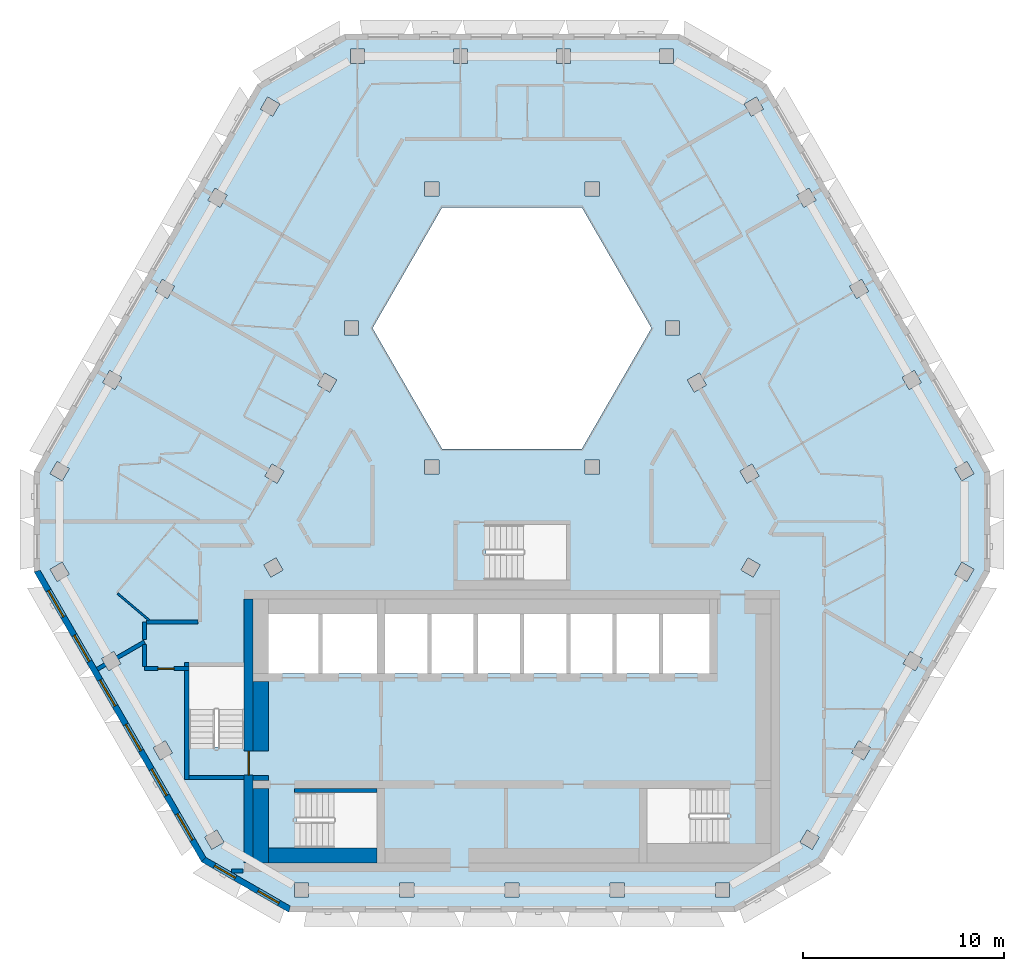
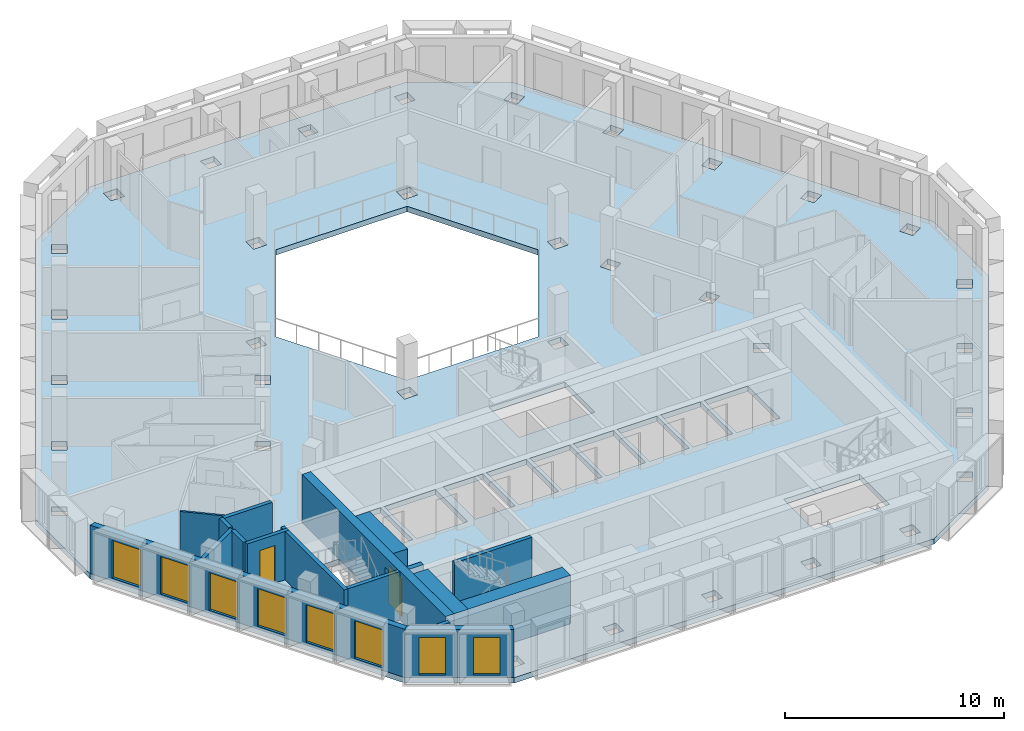
# One storey, part 2 of 16: 17 walls, 8 windows, 2 doors, 1 slab, 10 openings.
"""IFC4 building model written with IfcOpenShell, lengths in metres."""

from ifc_helpers import new_model, si_unit, direction, frame, frame_2d, origin, place, context, subcontext, project, spatial, polyline, rectangle, outline, extrude, material, layer, layer_set, type_object, element, fill, save


model = new_model("IFC4")

# Units and contexts
model_context = context("Model", 3, precision=1e-05, world=origin(), true_north=direction((0.0, 1.0)))
body_context = subcontext(model_context, "Body", "Model", "MODEL_VIEW")
ifc_project = project(units=[si_unit("LENGTHUNIT", "METRE"), si_unit("AREAUNIT", "SQUARE_METRE"), si_unit("VOLUMEUNIT", "CUBIC_METRE"), si_unit("PLANEANGLEUNIT", "RADIAN"), si_unit("MASSUNIT", "GRAM", prefix="KILO")], contexts=[model_context])

# Site, building, storey
site_placement = place(None, origin())
site = spatial("IfcSite", under=ifc_project, at=site_placement, CompositionType="ELEMENT")
building_placement = place(site_placement, origin())
building = spatial("IfcBuilding", under=site, at=building_placement, Name="Beryl Residences", CompositionType="ELEMENT")
storey_placement = place(building_placement, frame((0.0, 0.0, 214.800048828125)))
storey = spatial("IfcBuildingStorey", under=building, at=storey_placement, Name="L66", CompositionType="ELEMENT", Elevation=214.800048828125)

# Slab
ifc_material_1 = material(Name="Concrete C40/50", Category="concrete")
ifc_layer_1 = layer(ifc_material_1, 0.300048828125)
ifc_layer_set_1 = layer_set([ifc_layer_1], Name="SL7 PT floor slab 300 mm C40/50")
slab_type = type_object("IfcSlabType", Name="SL7 PT floor slab 300 mm C40/50", PredefinedType="FLOOR", material=ifc_layer_set_1)
slab_placement = place(storey_placement, frame((0.0, 0.0, -0.300048828125)))
element("IfcSlab", 1, at=slab_placement, inside=storey, type_object=slab_type, Name="L66 slab 1", PredefinedType="FLOOR", context=body_context, shape_type="SweptSolid", body=[
    extrude(outline(polyline([(23.72900390625, -4.10009765625), (15.4150390625, -18.5), (11.0849609375, -21.0), (-11.0849609375, -21.0), (-15.4150390625, -18.5), (-23.72900390625, -4.10009765625), (-23.72900390625, 0.89990234375), (-12.64404296875, 20.10009765625), (-8.31396484375, 22.60009765625), (8.31396484375, 22.60009765625), (12.64404296875, 20.10009765625), (23.72900390625, 0.89990234375), (23.72900390625, -4.10009765625)]), holes=[polyline([(21.97998046875, 1.028076171875), (22.330078125, 0.422119140625), (22.93603515625, 0.77197265625), (22.5859375, 1.3779296875), (21.97998046875, 1.028076171875)]), polyline([(21.97998046875, -4.22900390625), (22.5859375, -4.5791015625), (22.93603515625, -3.972900390625), (22.330078125, -3.623046875), (21.97998046875, -4.22900390625)]), polyline([(19.77099609375, -8.055908203125), (19.4208984375, -8.662109375), (20.027099609375, -9.011962890625), (20.376953125, -8.406005859375), (19.77099609375, -8.055908203125)]), polyline([(19.367919921875, 5.552978515625), (19.718017578125, 4.947021484375), (20.323974609375, 5.297119140625), (19.97412109375, 5.903076171875), (19.367919921875, 5.552978515625)]), polyline([(17.2109375, -12.489013671875), (16.861083984375, -13.094970703125), (17.467041015625, -13.445068359375), (17.81689453125, -12.839111328125), (17.2109375, -12.489013671875)]), polyline([(17.361083984375, 10.427978515625), (16.7548828125, 10.077880859375), (17.10498046875, 9.471923828125), (17.7109375, 9.822021484375), (17.361083984375, 10.427978515625)]), polyline([(15.258056640625, -17.27197265625), (14.652099609375, -16.922119140625), (14.302001953125, -17.528076171875), (14.907958984375, -17.8779296875), (15.258056640625, -17.27197265625)]), polyline([(14.14306640625, 14.60302734375), (14.492919921875, 13.9970703125), (15.09912109375, 14.346923828125), (14.7490234375, 14.952880859375), (14.14306640625, 14.60302734375)]), polyline([(11.531005859375, 19.1279296875), (11.881103515625, 18.52197265625), (12.487060546875, 18.8720703125), (12.136962890625, 19.47802734375), (11.531005859375, 19.1279296875)]), polyline([(11.717041015625, -3.406005859375), (11.366943359375, -4.011962890625), (11.972900390625, -4.362060546875), (12.322998046875, -3.756103515625), (11.717041015625, -3.406005859375)]), polyline([(11.919921875, 1.2529296875), (11.31396484375, 0.903076171875), (11.6640625, 0.297119140625), (12.27001953125, 0.64697265625), (11.919921875, 1.2529296875)]), polyline([(10.800048828125, -19.550048828125), (10.10009765625, -19.550048828125), (10.10009765625, -20.25), (10.800048828125, -20.25), (10.800048828125, -19.550048828125)]), polyline([(6.699951171875, -14.85009765625), (6.699951171875, -17.60009765625), (10.699951171875, -17.60009765625), (10.699951171875, -14.85009765625), (6.699951171875, -14.85009765625)]), polyline([(7.5, -9.14990234375), (9.800048828125, -9.14990234375), (9.800048828125, -6.199951171875), (7.5, -6.199951171875), (7.5, -9.14990234375)]), polyline([(8.700927734375, 5.427978515625), (9.051025390625, 4.822021484375), (9.656982421875, 5.172119140625), (9.306884765625, 5.778076171875), (8.700927734375, 5.427978515625)]), polyline([(8.31689453125, 7.64990234375), (8.31689453125, 8.35009765625), (7.616943359375, 8.35009765625), (7.616943359375, 7.64990234375), (8.31689453125, 7.64990234375)]), polyline([(7.3291015625, 21.85009765625), (7.3291015625, 21.14990234375), (8.029052734375, 21.14990234375), (8.029052734375, 21.85009765625), (7.3291015625, 21.85009765625)]), polyline([(5.199951171875, -9.14990234375), (7.300048828125, -9.14990234375), (7.300048828125, -6.199951171875), (5.199951171875, -6.199951171875), (5.199951171875, -9.14990234375)]), polyline([(3.464111328125, 14.0), (-3.464111328125, 14.0), (-6.92822265625, 8.0), (-3.464111328125, 2.0), (3.464111328125, 2.0), (6.92822265625, 8.0), (3.464111328125, 14.0)]), polyline([(4.875, -19.550048828125), (4.875, -20.25), (5.574951171875, -20.25), (5.574951171875, -19.550048828125), (4.875, -19.550048828125)]), polyline([(2.89990234375, -9.14990234375), (5.0, -9.14990234375), (5.0, -6.199951171875), (2.89990234375, -6.199951171875), (2.89990234375, -9.14990234375)]), polyline([(4.333984375, 15.25), (3.634033203125, 15.25), (3.634033203125, 14.550048828125), (4.333984375, 14.550048828125), (4.333984375, 15.25)]), polyline([(4.333984375, 1.449951171875), (3.634033203125, 1.449951171875), (3.634033203125, 0.75), (4.333984375, 0.75), (4.333984375, 1.449951171875)]), polyline([(2.2099609375, 21.85009765625), (2.2099609375, 21.14990234375), (2.909912109375, 21.14990234375), (2.909912109375, 21.85009765625), (2.2099609375, 21.85009765625)]), polyline([(2.699951171875, -9.14990234375), (2.699951171875, -6.199951171875), (0.60009765625, -6.199951171875), (0.60009765625, -9.14990234375), (2.699951171875, -9.14990234375)]), polyline([(2.699951171875, -4.5), (2.699951171875, -1.75), (-1.300048828125, -1.75), (-1.300048828125, -4.5), (2.699951171875, -4.5)]), polyline([(0.39990234375, -6.199951171875), (-1.699951171875, -6.199951171875), (-1.699951171875, -9.14990234375), (0.39990234375, -9.14990234375), (0.39990234375, -6.199951171875)]), polyline([(0.35009765625, -19.550048828125), (-0.35009765625, -19.550048828125), (-0.35009765625, -20.25), (0.35009765625, -20.25), (0.35009765625, -19.550048828125)]), polyline([(-4.0, -9.14990234375), (-1.89990234375, -9.14990234375), (-1.89990234375, -6.199951171875), (-4.0, -6.199951171875), (-4.0, -9.14990234375)]), polyline([(-2.908935546875, 21.14990234375), (-2.208984375, 21.14990234375), (-2.208984375, 21.85009765625), (-2.908935546875, 21.85009765625), (-2.908935546875, 21.14990234375)]), polyline([(-3.634033203125, 15.25), (-4.333984375, 15.25), (-4.333984375, 14.550048828125), (-3.634033203125, 14.550048828125), (-3.634033203125, 15.25)]), polyline([(-4.333984375, 1.449951171875), (-4.333984375, 0.75), (-3.634033203125, 0.75), (-3.634033203125, 1.449951171875), (-4.333984375, 1.449951171875)]), polyline([(-6.300048828125, -9.14990234375), (-4.199951171875, -9.14990234375), (-4.199951171875, -6.199951171875), (-6.300048828125, -6.199951171875), (-6.300048828125, -9.14990234375)]), polyline([(-4.875, -19.550048828125), (-5.574951171875, -19.550048828125), (-5.574951171875, -20.25), (-4.875, -20.25), (-4.875, -19.550048828125)]), polyline([(-9.39990234375, -6.199951171875), (-9.39990234375, -9.14990234375), (-6.699951171875, -9.14990234375), (-6.699951171875, -6.199951171875), (-9.39990234375, -6.199951171875)]), polyline([(-10.699951171875, -15.050048828125), (-10.699951171875, -17.800048828125), (-6.699951171875, -17.800048828125), (-6.699951171875, -15.050048828125), (-10.699951171875, -15.050048828125)]), polyline([(-8.028076171875, 21.14990234375), (-7.327880859375, 21.14990234375), (-7.327880859375, 21.85009765625), (-8.028076171875, 21.85009765625), (-8.028076171875, 21.14990234375)]), polyline([(-7.616943359375, 7.64990234375), (-7.616943359375, 8.35009765625), (-8.31689453125, 8.35009765625), (-8.31689453125, 7.64990234375), (-7.616943359375, 7.64990234375)]), polyline([(-9.051025390625, 4.822021484375), (-8.700927734375, 5.427978515625), (-9.306884765625, 5.778076171875), (-9.656982421875, 5.172119140625), (-9.051025390625, 4.822021484375)]), polyline([(-12.10009765625, -9.14990234375), (-9.60009765625, -9.14990234375), (-9.60009765625, -6.199951171875), (-12.10009765625, -6.199951171875), (-12.10009765625, -9.14990234375)]), polyline([(-10.800048828125, -19.550048828125), (-10.800048828125, -20.25), (-10.10009765625, -20.25), (-10.10009765625, -19.550048828125), (-10.800048828125, -19.550048828125)]), polyline([(-12.27001953125, 0.64697265625), (-11.6640625, 0.297119140625), (-11.31396484375, 0.903076171875), (-11.919921875, 1.2529296875), (-12.27001953125, 0.64697265625)]), polyline([(-11.972900390625, -4.361083984375), (-11.366943359375, -4.010986328125), (-11.717041015625, -3.405029296875), (-12.322998046875, -3.7548828125), (-11.972900390625, -4.361083984375)]), polyline([(-12.487060546875, 18.8720703125), (-11.881103515625, 18.52197265625), (-11.531005859375, 19.1279296875), (-12.136962890625, 19.47802734375), (-12.487060546875, 18.8720703125)]), polyline([(-13.300048828125, -8.800048828125), (-16.050048828125, -8.800048828125), (-16.050048828125, -12.800048828125), (-13.300048828125, -12.800048828125), (-13.300048828125, -8.800048828125)]), polyline([(-14.14306640625, 14.60302734375), (-14.7490234375, 14.952880859375), (-15.09912109375, 14.346923828125), (-14.492919921875, 13.9970703125), (-14.14306640625, 14.60302734375)]), polyline([(-14.302978515625, -17.527099609375), (-14.653076171875, -16.9208984375), (-15.259033203125, -17.27099609375), (-14.908935546875, -17.876953125), (-14.302978515625, -17.527099609375)]), polyline([(-17.10498046875, 9.471923828125), (-16.7548828125, 10.077880859375), (-17.361083984375, 10.427978515625), (-17.7109375, 9.822021484375), (-17.10498046875, 9.471923828125)]), polyline([(-17.2119140625, -12.488037109375), (-17.818115234375, -12.837890625), (-17.468017578125, -13.444091796875), (-16.862060546875, -13.093994140625), (-17.2119140625, -12.488037109375)]), polyline([(-19.718017578125, 4.947021484375), (-19.367919921875, 5.552978515625), (-19.97412109375, 5.903076171875), (-20.323974609375, 5.297119140625), (-19.718017578125, 4.947021484375)]), polyline([(-19.4208984375, -8.660888671875), (-19.77099609375, -8.054931640625), (-20.376953125, -8.405029296875), (-20.027099609375, -9.010986328125), (-19.4208984375, -8.660888671875)]), polyline([(-22.330078125, 0.422119140625), (-21.97998046875, 1.028076171875), (-22.5859375, 1.3779296875), (-22.93603515625, 0.77197265625), (-22.330078125, 0.422119140625)]), polyline([(-21.98095703125, -4.22802734375), (-22.3310546875, -3.6220703125), (-22.93701171875, -3.971923828125), (-22.5869140625, -4.577880859375), (-21.98095703125, -4.22802734375)])]), origin(), (0.0, 0.0, 1.0), 0.300048828125),
])

# Wall, openings, windows
ifc_material_2 = material(Name="Composite metal panel with mineral wool insulation")
ifc_layer_2 = layer(ifc_material_2, 0.300048828125)
ifc_layer_set_2 = layer_set([ifc_layer_2], Name="ES1 pale metal composite panel wall 300 mm")
wall_type_1 = type_object("IfcWallType", Name="ES1 pale metal composite panel wall 300 mm", PredefinedType="SOLIDWALL", material=ifc_layer_set_2)
wall_1_placement = place(storey_placement, frame((-23.59912109375, -4.02490234375, 0.0), z_axis=(0.0, 0.0, 1.0), x_axis=(0.500012653391, -0.866018098222, 0.0)))
wall_1 = element("IfcWall", 2, at=wall_1_placement, inside=storey, type_object=wall_type_1, Name="ES1 external wall L66 SW", PredefinedType="SOLIDWALL", context=body_context, shape_type="SweptSolid", body=[
    extrude(outline(polyline([(0.0, -0.14990234375), (16.6279296875, -0.14990234375), (16.547607421875, 0.14990234375), (0.080322265625, 0.14990234375), (0.0, -0.14990234375)])), origin(), (0.0, 0.0, 1.0), 2.699951171875),
])
opening_1_placement = place(wall_1_placement, frame((1.1640625, 0.0, 0.14990234375)))
opening_1 = element("IfcOpeningElement", 3, at=opening_1_placement, cuts=wall_1, Name="Opening W1", PredefinedType="OPENING", context=body_context, shape_type="SweptSolid", body=[
    extrude(rectangle(XDim=1.5, YDim=2.10009765625, at=frame_2d((0.75, 1.050048828125))), frame((0.0, 0.159912109375, 0.0), z_axis=(0.0, -1.0, 0.0), x_axis=(1.0, 0.0, 0.0)), (0.0, 0.0, 1.0), 0.320068359375),
])
opening_2_placement = place(wall_1_placement, frame((3.72412109375, 0.0, 0.14990234375)))
opening_2 = element("IfcOpeningElement", 4, at=opening_2_placement, cuts=wall_1, Name="Opening W1", PredefinedType="OPENING", context=body_context, shape_type="SweptSolid", body=[
    extrude(rectangle(XDim=1.5, YDim=2.10009765625, at=frame_2d((0.75, 1.050048828125))), frame((0.0, 0.159912109375, 0.0), z_axis=(0.0, -1.0, 0.0), x_axis=(1.0, 0.0, 0.0)), (0.0, 0.0, 1.0), 0.320068359375),
])
opening_3_placement = place(wall_1_placement, frame((6.282958984375, 0.0, 0.14990234375)))
opening_3 = element("IfcOpeningElement", 5, at=opening_3_placement, cuts=wall_1, Name="Opening W1", PredefinedType="OPENING", context=body_context, shape_type="SweptSolid", body=[
    extrude(rectangle(XDim=1.5, YDim=2.10009765625, at=frame_2d((0.75, 1.050048828125))), frame((0.0, 0.159912109375, 0.0), z_axis=(0.0, -1.0, 0.0), x_axis=(1.0, 0.0, 0.0)), (0.0, 0.0, 1.0), 0.320068359375),
])
opening_4_placement = place(wall_1_placement, frame((8.843017578125, 0.0, 0.14990234375)))
opening_4 = element("IfcOpeningElement", 6, at=opening_4_placement, cuts=wall_1, Name="Opening W1", PredefinedType="OPENING", context=body_context, shape_type="SweptSolid", body=[
    extrude(rectangle(XDim=1.5, YDim=2.10009765625, at=frame_2d((0.75, 1.050048828125))), frame((0.0, 0.159912109375, 0.0), z_axis=(0.0, -1.0, 0.0), x_axis=(1.0, 0.0, 0.0)), (0.0, 0.0, 1.0), 0.320068359375),
])
opening_5_placement = place(wall_1_placement, frame((11.403076171875, 0.0, 0.14990234375)))
opening_5 = element("IfcOpeningElement", 7, at=opening_5_placement, cuts=wall_1, Name="Opening W1", PredefinedType="OPENING", context=body_context, shape_type="SweptSolid", body=[
    extrude(rectangle(XDim=1.5, YDim=2.10009765625, at=frame_2d((0.75, 1.050048828125))), frame((0.0, 0.159912109375, 0.0), z_axis=(0.0, -1.0, 0.0), x_axis=(1.0, 0.0, 0.0)), (0.0, 0.0, 1.0), 0.320068359375),
])
opening_6_placement = place(wall_1_placement, frame((13.9619140625, 0.0, 0.14990234375)))
opening_6 = element("IfcOpeningElement", 8, at=opening_6_placement, cuts=wall_1, Name="Opening W1", PredefinedType="OPENING", context=body_context, shape_type="SweptSolid", body=[
    extrude(rectangle(XDim=1.5, YDim=2.10009765625, at=frame_2d((0.75, 1.050048828125))), frame((0.0, 0.159912109375, 0.0), z_axis=(0.0, -1.0, 0.0), x_axis=(1.0, 0.0, 0.0)), (0.0, 0.0, 1.0), 0.320068359375),
])
ifc_material_3 = material(Name="Aluminium and clear glass", Category="aluminium")
window_type_1 = type_object("IfcWindowType", Name="W1 cell window 1500 x 2100 mm", PartitioningType="SINGLE_PANEL", PredefinedType="WINDOW", material=ifc_material_3)
window_1_placement = place(opening_1_placement, origin())
window_1 = element("IfcWindow", 9, at=window_1_placement, inside=storey, type_object=window_type_1, Name="W1 window L66 SW 1", OverallHeight=2.10009765625, OverallWidth=1.5, PartitioningType="SINGLE_PANEL", PredefinedType="WINDOW", context=body_context, shape_type="SweptSolid", body=[
    extrude(rectangle(XDim=1.5, YDim=2.10009765625, at=frame_2d((0.75, 1.050048828125))), frame((0.0, 0.030029296875, 0.0), z_axis=(0.0, -1.0, 0.0), x_axis=(1.0, 0.0, 0.0)), (0.0, 0.0, 1.0), 0.06005859375),
])
fill(opening_1, window_1)
window_2_placement = place(opening_2_placement, origin())
window_2 = element("IfcWindow", 10, at=window_2_placement, inside=storey, type_object=window_type_1, Name="W1 window L66 SW 2", OverallHeight=2.10009765625, OverallWidth=1.5, PartitioningType="SINGLE_PANEL", PredefinedType="WINDOW", context=body_context, shape_type="SweptSolid", body=[
    extrude(rectangle(XDim=1.5, YDim=2.10009765625, at=frame_2d((0.75, 1.050048828125))), frame((0.0, 0.030029296875, 0.0), z_axis=(0.0, -1.0, 0.0), x_axis=(1.0, 0.0, 0.0)), (0.0, 0.0, 1.0), 0.06005859375),
])
fill(opening_2, window_2)
window_3_placement = place(opening_3_placement, origin())
window_3 = element("IfcWindow", 11, at=window_3_placement, inside=storey, type_object=window_type_1, Name="W1 window L66 SW 3", OverallHeight=2.10009765625, OverallWidth=1.5, PartitioningType="SINGLE_PANEL", PredefinedType="WINDOW", context=body_context, shape_type="SweptSolid", body=[
    extrude(rectangle(XDim=1.5, YDim=2.10009765625, at=frame_2d((0.75, 1.050048828125))), frame((0.0, 0.030029296875, 0.0), z_axis=(0.0, -1.0, 0.0), x_axis=(1.0, 0.0, 0.0)), (0.0, 0.0, 1.0), 0.06005859375),
])
fill(opening_3, window_3)
window_4_placement = place(opening_4_placement, origin())
window_4 = element("IfcWindow", 12, at=window_4_placement, inside=storey, type_object=window_type_1, Name="W1 window L66 SW 4", OverallHeight=2.10009765625, OverallWidth=1.5, PartitioningType="SINGLE_PANEL", PredefinedType="WINDOW", context=body_context, shape_type="SweptSolid", body=[
    extrude(rectangle(XDim=1.5, YDim=2.10009765625, at=frame_2d((0.75, 1.050048828125))), frame((0.0, 0.030029296875, 0.0), z_axis=(0.0, -1.0, 0.0), x_axis=(1.0, 0.0, 0.0)), (0.0, 0.0, 1.0), 0.06005859375),
])
fill(opening_4, window_4)
window_5_placement = place(opening_5_placement, origin())
window_5 = element("IfcWindow", 13, at=window_5_placement, inside=storey, type_object=window_type_1, Name="W1 window L66 SW 5", OverallHeight=2.10009765625, OverallWidth=1.5, PartitioningType="SINGLE_PANEL", PredefinedType="WINDOW", context=body_context, shape_type="SweptSolid", body=[
    extrude(rectangle(XDim=1.5, YDim=2.10009765625, at=frame_2d((0.75, 1.050048828125))), frame((0.0, 0.030029296875, 0.0), z_axis=(0.0, -1.0, 0.0), x_axis=(1.0, 0.0, 0.0)), (0.0, 0.0, 1.0), 0.06005859375),
])
fill(opening_5, window_5)
window_6_placement = place(opening_6_placement, origin())
window_6 = element("IfcWindow", 14, at=window_6_placement, inside=storey, type_object=window_type_1, Name="W1 window L66 SW 6", OverallHeight=2.10009765625, OverallWidth=1.5, PartitioningType="SINGLE_PANEL", PredefinedType="WINDOW", context=body_context, shape_type="SweptSolid", body=[
    extrude(rectangle(XDim=1.5, YDim=2.10009765625, at=frame_2d((0.75, 1.050048828125))), frame((0.0, 0.030029296875, 0.0), z_axis=(0.0, -1.0, 0.0), x_axis=(1.0, 0.0, 0.0)), (0.0, 0.0, 1.0), 0.06005859375),
])
fill(opening_6, window_6)

wall_2_placement = place(storey_placement, frame((-15.340087890625, -18.3701171875, 0.0), z_axis=(0.0, 0.0, 1.0), x_axis=(0.866022959057, -0.500004234368, 0.0)))
wall_2 = element("IfcWall", 15, at=wall_2_placement, inside=storey, type_object=wall_type_1, Name="ES1 external wall L66 SW-S", PredefinedType="SOLIDWALL", context=body_context, shape_type="SweptSolid", body=[
    extrude(outline(polyline([(0.0, -0.14990234375), (5.0, -0.14990234375), (4.919677734375, 0.14990234375), (0.080322265625, 0.14990234375), (0.0, -0.14990234375)])), origin(), (0.0, 0.0, 1.0), 2.699951171875),
])
opening_7_placement = place(wall_2_placement, frame((0.64990234375, 0.0, 0.14990234375)))
opening_7 = element("IfcOpeningElement", 16, at=opening_7_placement, cuts=wall_2, Name="Opening W2", PredefinedType="OPENING", context=body_context, shape_type="SweptSolid", body=[
    extrude(rectangle(XDim=1.199951171875, YDim=2.10009765625, at=frame_2d((0.60009765625, 1.050048828125))), frame((0.0, 0.159912109375, 0.0), z_axis=(0.0, -1.0, 0.0), x_axis=(1.0, 0.0, 0.0)), (0.0, 0.0, 1.0), 0.320068359375),
])
opening_8_placement = place(wall_2_placement, frame((3.14990234375, 0.0, 0.14990234375)))
opening_8 = element("IfcOpeningElement", 17, at=opening_8_placement, cuts=wall_2, Name="Opening W2", PredefinedType="OPENING", context=body_context, shape_type="SweptSolid", body=[
    extrude(rectangle(XDim=1.199951171875, YDim=2.10009765625, at=frame_2d((0.60009765625, 1.050048828125))), frame((0.0, 0.159912109375, 0.0), z_axis=(0.0, -1.0, 0.0), x_axis=(1.0, 0.0, 0.0)), (0.0, 0.0, 1.0), 0.320068359375),
])
ifc_material_4 = material(Name="Aluminium and clear glass", Category="aluminium")
window_type_2 = type_object("IfcWindowType", Name="W2 chamfer window 1200 x 2100 mm", PartitioningType="SINGLE_PANEL", PredefinedType="WINDOW", material=ifc_material_4)
window_7_placement = place(opening_7_placement, origin())
window_7 = element("IfcWindow", 18, at=window_7_placement, inside=storey, type_object=window_type_2, Name="W2 window L66 SW-S 1", OverallHeight=2.10009765625, OverallWidth=1.199951171875, PartitioningType="SINGLE_PANEL", PredefinedType="WINDOW", context=body_context, shape_type="SweptSolid", body=[
    extrude(rectangle(XDim=1.199951171875, YDim=2.10009765625, at=frame_2d((0.60009765625, 1.050048828125))), frame((0.0, 0.030029296875, 0.0), z_axis=(0.0, -1.0, 0.0), x_axis=(1.0, 0.0, 0.0)), (0.0, 0.0, 1.0), 0.06005859375),
])
fill(opening_7, window_7)
window_8_placement = place(opening_8_placement, origin())
window_8 = element("IfcWindow", 19, at=window_8_placement, inside=storey, type_object=window_type_2, Name="W2 window L66 SW-S 2", OverallHeight=2.10009765625, OverallWidth=1.199951171875, PartitioningType="SINGLE_PANEL", PredefinedType="WINDOW", context=body_context, shape_type="SweptSolid", body=[
    extrude(rectangle(XDim=1.199951171875, YDim=2.10009765625, at=frame_2d((0.60009765625, 1.050048828125))), frame((0.0, 0.030029296875, 0.0), z_axis=(0.0, -1.0, 0.0), x_axis=(1.0, 0.0, 0.0)), (0.0, 0.0, 1.0), 0.06005859375),
])
fill(opening_8, window_8)

# Walls
ifc_material_5 = material(Name="Gypsum board partition on steel studs", Category="steel")
ifc_layer_3 = layer(ifc_material_5, 0.10009765625)
ifc_layer_set_3 = layer_set([ifc_layer_3], Name="PT1 partition 100 mm gypsum board on steel studs")
wall_type_2 = type_object("IfcWallType", Name="PT1 partition 100 mm gypsum board on steel studs", PredefinedType="PARTITIONING", material=ifc_layer_set_3)
wall_3_placement = place(storey_placement, frame((-19.5859375, -5.176025390625, 0.0), z_axis=(0.0, 0.0, 1.0), x_axis=(0.763435976882, -0.645883510551, 0.0)))
element("IfcWall", 20, at=wall_3_placement, inside=storey, type_object=wall_type_2, Name="Wall PT1 L66 024", PredefinedType="PARTITIONING", context=body_context, shape_type="SweptSolid", body=[
    extrude(rectangle(XDim=2.0498046875, YDim=0.10009765625, at=frame_2d((1.02490234375, 0.0))), origin(), (0.0, 0.0, 1.0), 2.699951171875),
])
ifc_material_6 = material(Name="Concrete masonry", Category="masonry")
ifc_layer_4 = layer(ifc_material_6, 0.25)
ifc_layer_set_4 = layer_set([ifc_layer_4], Name="PT13-250 lobby wall 250 mm")
wall_type_3 = type_object("IfcWallType", Name="PT13-250 lobby wall 250 mm", PredefinedType="PARTITIONING", material=ifc_layer_set_4)
wall_4_placement = place(storey_placement, frame((-12.85009765625, -14.324951171875, 0.0), z_axis=(0.0, 0.0, 1.0), x_axis=(1.0, 0.0, 0.0)))
element("IfcWall", 21, at=wall_4_placement, inside=storey, type_object=wall_type_3, Name="Lobby wall 05", PredefinedType="PARTITIONING", context=body_context, shape_type="SweptSolid", body=[
    extrude(rectangle(XDim=0.75, YDim=0.25, at=frame_2d((0.375, 0.0))), origin(), (0.0, 0.0, 1.0), 2.699951171875),
])
ifc_material_7 = material(Name="Concrete masonry", Category="masonry")
ifc_layer_5 = layer(ifc_material_7, 0.75)
ifc_layer_set_5 = layer_set([ifc_layer_5], Name="PT13-750 lobby wall 750 mm")
wall_type_4 = type_object("IfcWallType", Name="PT13-750 lobby wall 750 mm", PredefinedType="PARTITIONING", material=ifc_layer_set_5)
wall_5_placement = place(storey_placement, frame((-12.47509765625, -13.0, 0.0), z_axis=(0.0, 0.0, 1.0), x_axis=(0.0, 1.0, 0.0)))
element("IfcWall", 22, at=wall_5_placement, inside=storey, type_object=wall_type_4, Name="Lobby wall 06", PredefinedType="PARTITIONING", context=body_context, shape_type="SweptSolid", body=[
    extrude(rectangle(XDim=3.449951171875, YDim=0.75, at=frame_2d((1.72509765625, 0.0))), origin(), (0.0, 0.0, 1.0), 2.699951171875),
])
ifc_material_8 = material(Name="Acoustic double stud gypsum board wall")
ifc_layer_6 = layer(ifc_material_8, 0.199951171875)
ifc_layer_set_6 = layer_set([ifc_layer_6], Name="PT3 party wall 200 mm acoustic double stud")
wall_type_5 = type_object("IfcWallType", Name="PT3 party wall 200 mm acoustic double stud", PredefinedType="PARTITIONING", material=ifc_layer_set_6)
wall_6_placement = place(storey_placement, frame((-13.9150390625, -18.949951171875, 0.0), z_axis=(0.0, 0.0, 1.0), x_axis=(1.0, 0.0, 0.0)))
element("IfcWall", 23, at=wall_6_placement, inside=storey, type_object=wall_type_5, Name="Wall PT3 L66 008", PredefinedType="PARTITIONING", context=body_context, shape_type="SweptSolid", body=[
    extrude(rectangle(XDim=0.554931640625, YDim=0.199951171875, at=frame_2d((0.27734375, 0.0))), origin(), (0.0, 0.0, 1.0), 2.699951171875),
])
wall_7_placement = place(storey_placement, frame((-20.592041015625, -8.93310546875, 0.0), z_axis=(0.0, 0.0, 1.0), x_axis=(0.866045775131, 0.499964714133, 0.0)))
element("IfcWall", 24, at=wall_7_placement, inside=storey, type_object=wall_type_5, Name="Wall PT3 L66 013", PredefinedType="PARTITIONING", context=body_context, shape_type="SweptSolid", body=[
    extrude(rectangle(XDim=2.704345703125, YDim=0.199951171875, at=frame_2d((1.35205078125, 0.0))), origin(), (0.0, 0.0, 1.0), 2.699951171875),
])
ifc_material_9 = material(Name="Double stud gypsum board wall")
ifc_layer_7 = layer(ifc_material_9, 0.199951171875)
ifc_layer_set_7 = layer_set([ifc_layer_7], Name="PT4 corridor wall 200 mm double stud")
wall_type_6 = type_object("IfcWallType", Name="PT4 corridor wall 200 mm double stud", PredefinedType="PARTITIONING", material=ifc_layer_set_7)
wall_8_placement = place(storey_placement, frame((-18.25, -7.696044921875, 0.0), z_axis=(0.0, 0.0, 1.0), x_axis=(0.0, -1.0, 0.0)))
element("IfcWall", 25, at=wall_8_placement, inside=storey, type_object=wall_type_6, Name="Wall PT4 L66 008", PredefinedType="PARTITIONING", context=body_context, shape_type="SweptSolid", body=[
    extrude(rectangle(XDim=1.10302734375, YDim=0.199951171875, at=frame_2d((0.551513671875, 0.0))), origin(), (0.0, 0.0, 1.0), 2.699951171875),
])
wall_9_placement = place(storey_placement, frame((-18.14892578125, -6.60009765625, 0.0), z_axis=(0.0, 0.0, 1.0), x_axis=(1.0, 0.0, 0.0)))
element("IfcWall", 26, at=wall_9_placement, inside=storey, type_object=wall_type_6, Name="Wall PT4 L66 012", PredefinedType="PARTITIONING", context=body_context, shape_type="SweptSolid", body=[
    extrude(rectangle(XDim=2.5478515625, YDim=0.199951171875, at=frame_2d((1.27392578125, 0.0))), origin(), (0.0, 0.0, 1.0), 2.699951171875),
])

# Wall, opening, door
wall_10_placement = place(storey_placement, frame((-18.2490234375, -8.89990234375, 0.0), z_axis=(0.0, 0.0, 1.0), x_axis=(1.0, 0.0, 0.0)))
wall_10 = element("IfcWall", 27, at=wall_10_placement, inside=storey, type_object=wall_type_6, Name="Wall PT4 L66 013", PredefinedType="PARTITIONING", context=body_context, shape_type="SweptSolid", body=[
    extrude(rectangle(XDim=2.198974609375, YDim=0.199951171875, at=frame_2d((1.099609375, 0.0))), origin(), (0.0, 0.0, 1.0), 2.699951171875),
])
opening_9_placement = place(wall_10_placement, frame((0.6689453125, 0.0, 0.0)))
opening_9 = element("IfcOpeningElement", 28, at=opening_9_placement, cuts=wall_10, Name="Opening D1825", PredefinedType="OPENING", context=body_context, shape_type="SweptSolid", body=[
    extrude(rectangle(XDim=0.800048828125, YDim=2.10009765625, at=frame_2d((0.39990234375, 1.050048828125))), frame((0.0, 0.10986328125, 0.0), z_axis=(0.0, -1.0, 0.0), x_axis=(1.0, 0.0, 0.0)), (0.0, 0.0, 1.0), 0.219970703125),
])
ifc_material_10 = material(Name="Timber door leaf", Category="wood")
door_type_1 = type_object("IfcDoorType", Name="D3 bathroom door 800 x 2100 mm", OperationType="SINGLE_SWING_LEFT", PredefinedType="DOOR", material=ifc_material_10)
door_1_placement = place(opening_9_placement, origin())
door_1 = element("IfcDoor", 29, at=door_1_placement, inside=storey, type_object=door_type_1, Name="Door D1825 L66 001", OperationType="SINGLE_SWING_LEFT", OverallHeight=2.10009765625, OverallWidth=0.800048828125, PredefinedType="DOOR", context=body_context, shape_type="SweptSolid", body=[
    extrude(rectangle(XDim=0.800048828125, YDim=2.10009765625, at=frame_2d((0.39990234375, 1.050048828125))), frame((0.0, 0.02490234375, 0.0), z_axis=(0.0, -1.0, 0.0), x_axis=(1.0, 0.0, 0.0)), (0.0, 0.0, 1.0), 0.050048828125),
])
fill(opening_9, door_1)

# Walls
wall_11_placement = place(storey_placement, frame((-18.25, -7.465087890625, 0.0), z_axis=(0.0, 0.0, 1.0), x_axis=(0.0, 1.0, 0.0)))
element("IfcWall", 30, at=wall_11_placement, inside=storey, type_object=wall_type_6, Name="Wall PT4 L66 033", PredefinedType="PARTITIONING", context=body_context, shape_type="SweptSolid", body=[
    extrude(rectangle(XDim=0.864013671875, YDim=0.199951171875, at=frame_2d((0.43212890625, 0.0))), origin(), (0.0, 0.0, 1.0), 2.699951171875),
])
ifc_material_11 = material(Name="Concrete C40/50", Category="concrete")
ifc_layer_8 = layer(ifc_material_11, 0.199951171875)
ifc_layer_set_8 = layer_set([ifc_layer_8], Name="PT5 stair enclosure wall 200 mm reinforced concrete C40/50")
wall_type_7 = type_object("IfcWallType", Name="PT5 stair enclosure wall 200 mm reinforced concrete C40/50", PredefinedType="SOLIDWALL", material=ifc_layer_set_8)
wall_12_placement = place(storey_placement, frame((-16.14990234375, -14.39990234375, 0.0), z_axis=(0.0, 0.0, 1.0), x_axis=(0.0, 1.0, 0.0)))
element("IfcWall", 31, at=wall_12_placement, inside=storey, type_object=wall_type_7, Name="Stair wall 01", PredefinedType="SOLIDWALL", context=body_context, shape_type="SweptSolid", body=[
    extrude(rectangle(XDim=5.7998046875, YDim=0.199951171875, at=frame_2d((2.89990234375, 0.0))), origin(), (0.0, 0.0, 1.0), 2.699951171875),
])
wall_13_placement = place(storey_placement, frame((-16.050048828125, -14.300048828125, 0.0), z_axis=(0.0, 0.0, 1.0), x_axis=(1.0, 0.0, 0.0)))
element("IfcWall", 32, at=wall_13_placement, inside=storey, type_object=wall_type_7, Name="Stair wall 02", PredefinedType="SOLIDWALL", context=body_context, shape_type="SweptSolid", body=[
    extrude(rectangle(XDim=2.75, YDim=0.199951171875, at=frame_2d((1.375, 0.0))), origin(), (0.0, 0.0, 1.0), 2.699951171875),
])
wall_14_placement = place(storey_placement, frame((-10.800048828125, -14.949951171875, 0.0), z_axis=(0.0, 0.0, 1.0), x_axis=(1.0, 0.0, 0.0)))
element("IfcWall", 33, at=wall_14_placement, inside=storey, type_object=wall_type_7, Name="Stair wall 10", PredefinedType="SOLIDWALL", context=body_context, shape_type="SweptSolid", body=[
    extrude(rectangle(XDim=4.10009765625, YDim=0.199951171875, at=frame_2d((2.050048828125, 0.0))), origin(), (0.0, 0.0, 1.0), 2.699951171875),
])
ifc_material_12 = material(Name="Concrete C40/50", Category="concrete")
ifc_layer_9 = layer(ifc_material_12, 0.75)
ifc_layer_set_9 = layer_set([ifc_layer_9], Name="PT5-750 stair enclosure wall 750 mm")
wall_type_8 = type_object("IfcWallType", Name="PT5-750 stair enclosure wall 750 mm", PredefinedType="SOLIDWALL", material=ifc_layer_set_9)
wall_15_placement = place(storey_placement, frame((-12.47509765625, -18.550048828125, 0.0), z_axis=(0.0, 0.0, 1.0), x_axis=(0.0, 1.0, 0.0)))
element("IfcWall", 34, at=wall_15_placement, inside=storey, type_object=wall_type_8, Name="Stair wall 04", PredefinedType="SOLIDWALL", context=body_context, shape_type="SweptSolid", body=[
    extrude(rectangle(XDim=3.699951171875, YDim=0.75, at=frame_2d((1.85009765625, 0.0))), origin(), (0.0, 0.0, 1.0), 2.699951171875),
])
wall_16_placement = place(storey_placement, frame((-12.10009765625, -18.175048828125, 0.0), z_axis=(0.0, 0.0, 1.0), x_axis=(1.0, 0.0, 0.0)))
element("IfcWall", 35, at=wall_16_placement, inside=storey, type_object=wall_type_8, Name="Stair wall 08", PredefinedType="SOLIDWALL", context=body_context, shape_type="SweptSolid", body=[
    extrude(rectangle(XDim=5.400146484375, YDim=0.75, at=frame_2d((2.7001953125, 0.0))), origin(), (0.0, 0.0, 1.0), 2.699951171875),
])

# Wall, opening, door
ifc_material_13 = material(Name="Concrete C50/60", Category="concrete")
ifc_layer_10 = layer(ifc_material_13, 0.449951171875)
ifc_layer_set_10 = layer_set([ifc_layer_10], Name="SW5 core outer wall 450 mm C50/60")
wall_type_9 = type_object("IfcWallType", Name="SW5 core outer wall 450 mm C50/60", PredefinedType="SHEAR", material=ifc_layer_set_10)
wall_17_placement = place(storey_placement, frame((-13.074951171875, -18.550048828125, 0.0), z_axis=(0.0, 0.0, 1.0), x_axis=(0.0, 1.0, 0.0)))
wall_17 = element("IfcWall", 36, at=wall_17_placement, inside=storey, type_object=wall_type_9, Name="Core wall W L66", PredefinedType="SHEAR", context=body_context, shape_type="SweptSolid", body=[
    extrude(rectangle(XDim=13.10009765625, YDim=0.449951171875, at=frame_2d((6.550048828125, 0.0))), origin(), (0.0, 0.0, 1.0), 2.699951171875),
])
opening_10_placement = place(wall_17_placement, frame((4.35009765625, 0.0, 0.0)))
opening_10 = element("IfcOpeningElement", 37, at=opening_10_placement, cuts=wall_17, Name="Opening SD-2", PredefinedType="OPENING", context=body_context, shape_type="SweptSolid", body=[
    extrude(rectangle(XDim=1.199951171875, YDim=2.10009765625, at=frame_2d((0.60009765625, 1.050048828125))), frame((0.0, 0.23486328125, 0.0), z_axis=(0.0, -1.0, 0.0), x_axis=(1.0, 0.0, 0.0)), (0.0, 0.0, 1.0), 0.469970703125),
])
ifc_material_14 = material(Name="Steel door leaf in steel frame", Category="steel")
door_type_2 = type_object("IfcDoorType", Name="D4 stair door 1200 x 2100 mm", OperationType="SINGLE_SWING_LEFT", PredefinedType="DOOR", material=ifc_material_14)
door_2_placement = place(opening_10_placement, origin())
door_2 = element("IfcDoor", 38, at=door_2_placement, inside=storey, type_object=door_type_2, Name="Door SD-2 L66 001", OperationType="SINGLE_SWING_RIGHT", OverallHeight=2.10009765625, OverallWidth=1.199951171875, PredefinedType="DOOR", context=body_context, shape_type="SweptSolid", body=[
    extrude(rectangle(XDim=1.199951171875, YDim=2.10009765625, at=frame_2d((0.60009765625, 1.050048828125))), frame((0.0, 0.02490234375, 0.0), z_axis=(0.0, -1.0, 0.0), x_axis=(1.0, 0.0, 0.0)), (0.0, 0.0, 1.0), 0.050048828125),
])
fill(opening_10, door_2)

save(model, "model.ifc")
